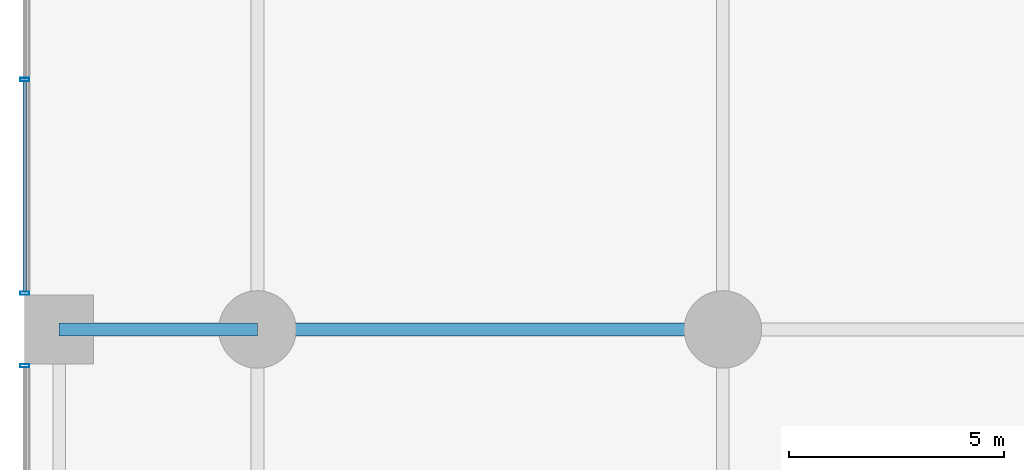
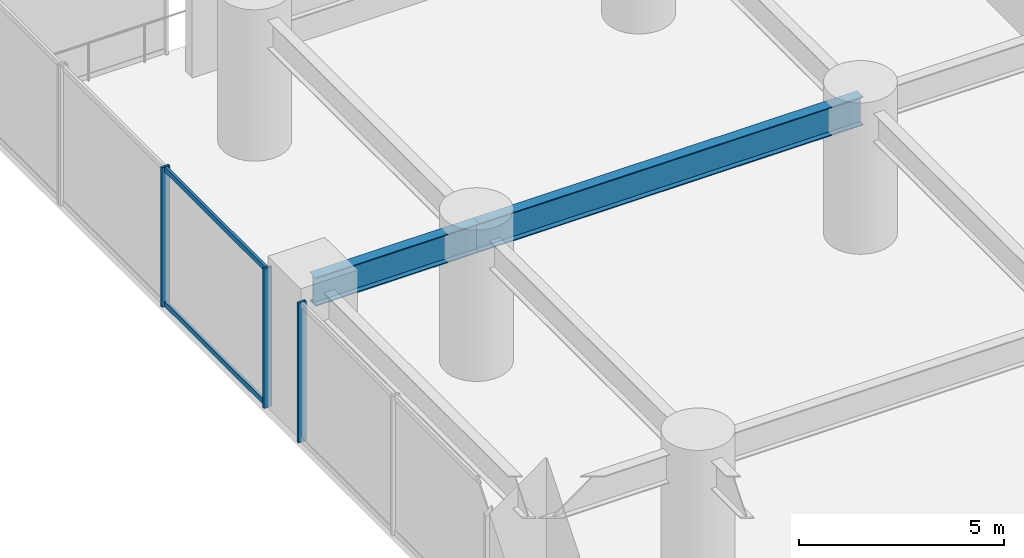
# One storey, part 11 of 35: 5 members, 2 beams, 2 elements without a shape of their own.
"""IFC4 building model written with IfcOpenShell, lengths in metres."""

from ifc_helpers import new_model, si_unit, direction, frame, origin, origin_2d, place, context, subcontext, project, spatial, hollow_rectangle, i_section, extrude, material, layer, layer_set, material_profile, profile_set, type_object, element, aggregate, save


model = new_model("IFC4")

# Units and contexts
model_context = context("Model", 3, precision=1e-05, world=origin(), true_north=direction((0.0, 1.0)))
body_context = subcontext(model_context, "Body", "Model", "MODEL_VIEW")
ifc_project = project(units=[si_unit("LENGTHUNIT", "METRE"), si_unit("AREAUNIT", "SQUARE_METRE"), si_unit("VOLUMEUNIT", "CUBIC_METRE"), si_unit("PLANEANGLEUNIT", "RADIAN"), si_unit("MASSUNIT", "GRAM", prefix="KILO")], contexts=[model_context])

# Site, building, storey
site_placement = place(None, origin())
site = spatial("IfcSite", under=ifc_project, at=site_placement, CompositionType="ELEMENT")
building_placement = place(site_placement, origin())
building = spatial("IfcBuilding", under=site, at=building_placement, Name="Surkhivell Harbour Commons", CompositionType="ELEMENT")
storey_placement = place(building_placement, frame((0.0, 0.0, 13.5)))
storey = spatial("IfcBuildingStorey", under=building, at=storey_placement, Name="L03", CompositionType="ELEMENT", Elevation=13.5)

# Beams
ifc_material_1 = material(Name="Steel S460", Category="steel")
ifc_material_profile_1 = material_profile(ifc_material_1, i_section(OverallWidth=0.2939453125, OverallDepth=0.85107421875, WebThickness=0.01611328125, FlangeThickness=0.02685546875, at=origin_2d()), Name="UB838x292x226")
ifc_profile_set_1 = profile_set([ifc_material_profile_1], Name="Steel S460")
beam_type = type_object("IfcBeamType", Name="BM-SPN-838", PredefinedType="SPANDREL", material=ifc_profile_set_1)
beam_1_placement = place(storey_placement, frame((-37.0, 10.800048828125, 3.724609375), z_axis=(1.0, 0.0, 0.0), x_axis=(0.0, 1.0, 0.0)))
element("IfcBeam", 1, at=beam_1_placement, inside=storey, type_object=beam_type, Name="L03 Framing Beam (-37.0,10.8)", PredefinedType="SPANDREL", context=body_context, shape_type="SweptSolid", body=[
    extrude(i_section(OverallWidth=0.2939453125, OverallDepth=0.85107421875, WebThickness=0.01611328125, FlangeThickness=0.02685546875, at=origin_2d()), origin(), (0.0, 0.0, 1.0), 4.60009765625),
])
beam_2_placement = place(storey_placement, frame((-32.39990234375, 10.800048828125, 3.724609375), z_axis=(1.0, 0.0, 0.0), x_axis=(0.0, 1.0, 0.0)))
element("IfcBeam", 2, at=beam_2_placement, inside=storey, type_object=beam_type, Name="L03 Framing Beam (-32.4,10.8)", PredefinedType="SPANDREL", context=body_context, shape_type="SweptSolid", body=[
    extrude(i_section(OverallWidth=0.2939453125, OverallDepth=0.85107421875, WebThickness=0.01611328125, FlangeThickness=0.02685546875, at=origin_2d()), origin(), (0.0, 0.0, 1.0), 10.7998046875),
])

# Curtain wall, member
ifc_material_2 = material(Name="Anodised pale-metal aluminium and insulated glazing", Category="aluminium")
ifc_layer = layer(ifc_material_2, 0.239990234375)
ifc_layer_set = layer_set([ifc_layer], Name="Anodised pale-metal aluminium and insulated glazing")
curtain_wall_type = type_object("IfcCurtainWallType", Name="CW-SYS-POD", PredefinedType="NOTDEFINED", material=ifc_layer_set)
curtain_wall_1_placement = place(storey_placement, origin())
curtain_wall_1 = element("IfcCurtainWall", 3, at=curtain_wall_1_placement, inside=storey, type_object=curtain_wall_type, Name="L03 Curtain Wall CW-L03-W4", PredefinedType="NOTDEFINED")
ifc_material_3 = material(Name="Anodised pale-metal aluminium alloy 6063-T6", Category="aluminium")
ifc_material_profile_2 = material_profile(ifc_material_3, hollow_rectangle(XDim=0.074951171875, YDim=0.219970703125, WallThickness=0.00390625, at=origin_2d()), Name="ALU-MULL-75x220")
ifc_profile_set_2 = profile_set([ifc_material_profile_2], Name="Anodised pale-metal aluminium alloy 6063-T6")
member_type_1 = type_object("IfcMemberType", Name="CWM-220", PredefinedType="MULLION", material=ifc_profile_set_2)
member_1_placement = place(storey_placement, frame((-37.800048828125, 9.96044921875, 0.0), z_axis=(0.0, 0.0, 1.0), x_axis=(0.0, 1.0, 0.0)))
member_1 = element("IfcMember", 4, at=member_1_placement, type_object=member_type_1, Name="CW-POD mullion 3", PredefinedType="MULLION", context=body_context, shape_type="SweptSolid", body=[
    extrude(hollow_rectangle(XDim=0.074951171875, YDim=0.219970703125, WallThickness=0.00390625, at=origin_2d()), origin(), (0.0, 0.0, 1.0), 4.14990234375),
])
aggregate(curtain_wall_1, [member_1])

# Curtain wall, members
curtain_wall_2_placement = place(storey_placement, origin())
curtain_wall_2 = element("IfcCurtainWall", 5, at=curtain_wall_2_placement, inside=storey, type_object=curtain_wall_type, Name="L03 Curtain Wall CW-L03-W5", PredefinedType="NOTDEFINED")
member_2_placement = place(storey_placement, frame((-37.800048828125, 11.639404296875, 0.0), z_axis=(0.0, 0.0, 1.0), x_axis=(0.0, 1.0, 0.0)))
member_2 = element("IfcMember", 6, at=member_2_placement, type_object=member_type_1, Name="CW-POD mullion 1", PredefinedType="MULLION", context=body_context, shape_type="SweptSolid", body=[
    extrude(hollow_rectangle(XDim=0.074951171875, YDim=0.219970703125, WallThickness=0.00390625, at=origin_2d()), origin(), (0.0, 0.0, 1.0), 4.14990234375),
])
member_3_placement = place(storey_placement, frame((-37.800048828125, 16.60107421875, 0.0), z_axis=(0.0, 0.0, 1.0), x_axis=(0.0, 1.0, 0.0)))
member_3 = element("IfcMember", 7, at=member_3_placement, type_object=member_type_1, Name="CW-POD mullion 2", PredefinedType="MULLION", context=body_context, shape_type="SweptSolid", body=[
    extrude(hollow_rectangle(XDim=0.074951171875, YDim=0.219970703125, WallThickness=0.00390625, at=origin_2d()), origin(), (0.0, 0.0, 1.0), 4.14990234375),
])
ifc_material_profile_3 = material_profile(ifc_material_3, hollow_rectangle(XDim=0.074951171875, YDim=0.14990234375, WallThickness=0.00341796875, at=origin_2d()), Name="ALU-TRAN-75x150")
ifc_profile_set_3 = profile_set([ifc_material_profile_3], Name="Anodised pale-metal aluminium alloy 6063-T6")
member_type_2 = type_object("IfcMemberType", Name="CWT-150", PredefinedType="USERDEFINED", material=ifc_profile_set_3)
member_4_placement = place(storey_placement, frame((-37.800048828125, 11.677001953125, 0.074951171875), z_axis=(0.0, 1.0, 0.0), x_axis=(-1.0, 0.0, 0.0)))
member_4 = element("IfcMember", 8, at=member_4_placement, type_object=member_type_2, Name="CW-POD transom 1.1", ObjectType="TRANSOM", PredefinedType="USERDEFINED", context=body_context, shape_type="SweptSolid", body=[
    extrude(hollow_rectangle(XDim=0.074951171875, YDim=0.14990234375, WallThickness=0.00341796875, at=origin_2d()), origin(), (0.0, 0.0, 1.0), 4.886474609375),
])
member_5_placement = place(storey_placement, frame((-37.800048828125, 11.677001953125, 4.074951171875), z_axis=(0.0, 1.0, 0.0), x_axis=(-1.0, 0.0, 0.0)))
member_5 = element("IfcMember", 9, at=member_5_placement, type_object=member_type_2, Name="CW-POD transom 1.2", ObjectType="TRANSOM", PredefinedType="USERDEFINED", context=body_context, shape_type="SweptSolid", body=[
    extrude(hollow_rectangle(XDim=0.074951171875, YDim=0.14990234375, WallThickness=0.00341796875, at=origin_2d()), origin(), (0.0, 0.0, 1.0), 4.886474609375),
])
aggregate(curtain_wall_2, [member_2, member_3, member_4, member_5])

save(model, "model.ifc")
